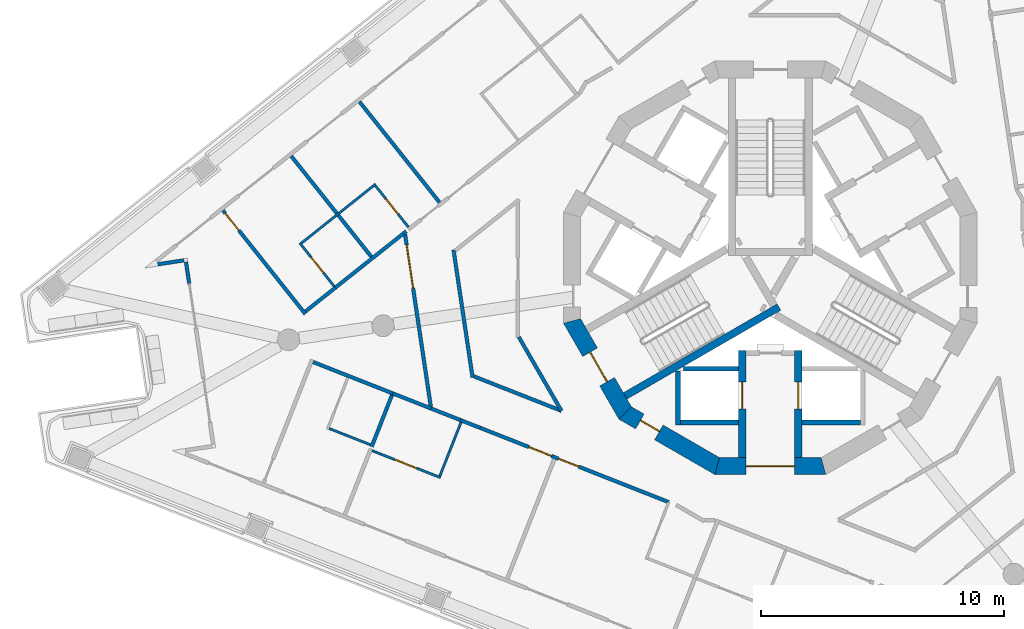
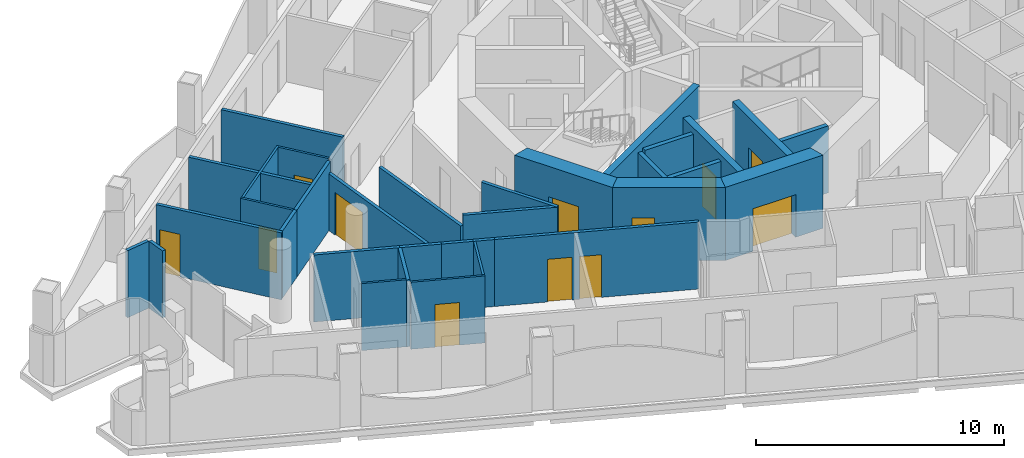
# One storey, part 3 of 16: 33 walls, 12 doors, 12 openings.
"""IFC4 building model written with IfcOpenShell, lengths in metres."""

from ifc_helpers import new_model, si_unit, direction, frame, frame_2d, origin, place, context, subcontext, project, spatial, polyline, rectangle, outline, extrude, material, layer, layer_set, type_object, element, fill, save


model = new_model("IFC4")

# Units and contexts
model_context = context("Model", 3, precision=1e-05, world=origin(), true_north=direction((0.0, 1.0)))
body_context = subcontext(model_context, "Body", "Model", "MODEL_VIEW")
ifc_project = project(units=[si_unit("LENGTHUNIT", "METRE"), si_unit("AREAUNIT", "SQUARE_METRE"), si_unit("VOLUMEUNIT", "CUBIC_METRE"), si_unit("PLANEANGLEUNIT", "RADIAN"), si_unit("MASSUNIT", "GRAM", prefix="KILO")], contexts=[model_context])

# Site, building, storey
site_placement = place(None, origin())
site = spatial("IfcSite", under=ifc_project, at=site_placement, CompositionType="ELEMENT")
building_placement = place(site_placement, origin())
building = spatial("IfcBuilding", under=site, at=building_placement, Name="Trine Commons Tower", CompositionType="ELEMENT")
storey_placement = place(building_placement, frame((0.0, 0.0, 223.199951171875)))
storey = spatial("IfcBuildingStorey", under=building, at=storey_placement, Name="L58", CompositionType="ELEMENT", Elevation=223.199951171875)

# Walls
ifc_material_1 = material(Name="Aluminium-framed insulated wall panel", Category="aluminium")
ifc_layer_1 = layer(ifc_material_1, 0.14990234375)
ifc_layer_set_1 = layer_set([ifc_layer_1], Name="Aluminium-framed insulated wall panel")
wall_type_1 = type_object("IfcWallType", Name="Glazed frame wall 150, EI 60", PredefinedType="SOLIDWALL", material=ifc_layer_set_1)
wall_1_placement = place(storey_placement, frame((56.115966796875, 61.86279296875, 0.0), z_axis=(0.0, 0.0, 1.0), x_axis=(-0.147946480694, 0.988995368468, 0.0)))
element("IfcWall", 1, at=wall_1_placement, inside=storey, type_object=wall_type_1, Name="Glazed frame wall P3.5", PredefinedType="SOLIDWALL", context=body_context, shape_type="SweptSolid", body=[
    extrude(outline(polyline([(0.889892578125, 0.074951171875), (0.0, 0.074951171875), (0.0, -0.074951171875), (0.889892578125, -0.074951171875), (0.889892578125, 0.074951171875)])), origin(), (0.0, 0.0, 1.0), 3.300048828125),
])
wall_2_placement = place(storey_placement, frame((56.0078125, 62.822265625, 0.0), z_axis=(0.0, 0.0, 1.0), x_axis=(-0.98902141065, -0.147772288596, 0.0)))
element("IfcWall", 2, at=wall_2_placement, inside=storey, type_object=wall_type_1, Name="Glazed frame wall R12", PredefinedType="SOLIDWALL", context=body_context, shape_type="SweptSolid", body=[
    extrude(outline(polyline([(0.110107421875, 0.074951171875), (0.110107421875, -0.074951171875), (1.19580078125, -0.074951171875), (1.19580078125, 0.074951171875), (0.110107421875, 0.074951171875)])), origin(), (0.0, 0.0, 1.0), 3.300048828125),
])

# Wall, opening, door
ifc_material_2 = material(Name="Concrete C60/75", Category="concrete")
ifc_layer_2 = layer(ifc_material_2, 0.300048828125)
ifc_layer_set_2 = layer_set([ifc_layer_2], Name="Concrete C60/75")
wall_type_2 = type_object("IfcWallType", Name="RC shear wall 300 mm, C60/75", PredefinedType="SHEAR", material=ifc_layer_set_2)
wall_3_placement = place(storey_placement, frame((78.85009765625, 59.10009765625, 0.0), z_axis=(0.0, 0.0, 1.0), x_axis=(0.0, -1.0, 0.0)))
wall_3 = element("IfcWall", 3, at=wall_3_placement, inside=storey, type_object=wall_type_2, Name="Core cross wall SWC-03 L58", PredefinedType="SHEAR", context=body_context, shape_type="SweptSolid", body=[
    extrude(rectangle(XDim=4.400146484375, YDim=0.300048828125, at=frame_2d((2.2001953125, 0.0))), origin(), (0.0, 0.0, 1.0), 3.60009765625),
])
opening_1_placement = place(wall_3_placement, frame((1.300048828125, 0.0, 0.0)))
opening_1 = element("IfcOpeningElement", 4, at=opening_1_placement, cuts=wall_3, Name="Opening LD10", PredefinedType="OPENING", context=body_context, shape_type="SweptSolid", body=[
    extrude(rectangle(XDim=1.10009765625, YDim=2.10009765625, at=frame_2d((0.550048828125, 1.050048828125))), frame((0.0, 0.159912109375, 0.0), z_axis=(0.0, -1.0, 0.0), x_axis=(1.0, 0.0, 0.0)), (0.0, 0.0, 1.0), 0.320068359375),
])
ifc_material_3 = material(Name="Stainless steel sliding door leaves", Category="steel")
door_type_1 = type_object("IfcDoorType", Name="Lift landing door, centre-opening sliding 1100 x 2100, FD90", OperationType="DOUBLE_DOOR_SLIDING", PredefinedType="DOOR", material=ifc_material_3)
door_1_placement = place(opening_1_placement, origin())
door_1 = element("IfcDoor", 5, at=door_1_placement, inside=storey, type_object=door_type_1, Name="Lift landing door FF2 L58", OperationType="DOUBLE_DOOR_SLIDING", OverallHeight=2.10009765625, OverallWidth=1.10009765625, PredefinedType="DOOR", context=body_context, shape_type="SweptSolid", body=[
    extrude(rectangle(XDim=1.10009765625, YDim=2.10009765625, at=frame_2d((0.550048828125, 1.050048828125))), frame((0.0, 0.02490234375, 0.0), z_axis=(0.0, -1.0, 0.0), x_axis=(1.0, 0.0, 0.0)), (0.0, 0.0, 1.0), 0.050048828125),
])
fill(opening_1, door_1)

wall_4_placement = place(storey_placement, frame((81.14990234375, 59.10009765625, 0.0), z_axis=(0.0, 0.0, 1.0), x_axis=(0.0, -1.0, 0.0)))
wall_4 = element("IfcWall", 6, at=wall_4_placement, inside=storey, type_object=wall_type_2, Name="Core cross wall SWC-04 L58", PredefinedType="SHEAR", context=body_context, shape_type="SweptSolid", body=[
    extrude(rectangle(XDim=4.400146484375, YDim=0.300048828125, at=frame_2d((2.2001953125, 0.0))), origin(), (0.0, 0.0, 1.0), 3.60009765625),
])
opening_2_placement = place(wall_4_placement, frame((1.300048828125, 0.0, 0.0)))
opening_2 = element("IfcOpeningElement", 7, at=opening_2_placement, cuts=wall_4, Name="Opening LD9", PredefinedType="OPENING", context=body_context, shape_type="SweptSolid", body=[
    extrude(rectangle(XDim=1.10009765625, YDim=2.10009765625, at=frame_2d((0.550048828125, 1.050048828125))), frame((0.0, 0.159912109375, 0.0), z_axis=(0.0, -1.0, 0.0), x_axis=(1.0, 0.0, 0.0)), (0.0, 0.0, 1.0), 0.320068359375),
])
door_2_placement = place(opening_2_placement, origin())
door_2 = element("IfcDoor", 8, at=door_2_placement, inside=storey, type_object=door_type_1, Name="Lift landing door FF1 L58", OperationType="DOUBLE_DOOR_SLIDING", OverallHeight=2.10009765625, OverallWidth=1.10009765625, PredefinedType="DOOR", context=body_context, shape_type="SweptSolid", body=[
    extrude(rectangle(XDim=1.10009765625, YDim=2.10009765625, at=frame_2d((0.550048828125, 1.050048828125))), frame((0.0, 0.02490234375, 0.0), z_axis=(0.0, -1.0, 0.0), x_axis=(1.0, 0.0, 0.0)), (0.0, 0.0, 1.0), 0.050048828125),
])
fill(opening_2, door_2)

# Wall
wall_5_placement = place(storey_placement, frame((80.35400390625, 60.885986328125, 0.0), z_axis=(0.0, 0.0, 1.0), x_axis=(-0.866032430508, -0.49998782916, 0.0)))
element("IfcWall", 9, at=wall_5_placement, inside=storey, type_object=wall_type_2, Name="Core cross wall SWC-14 L58", PredefinedType="SHEAR", context=body_context, shape_type="SweptSolid", body=[
    extrude(rectangle(XDim=7.300048828125, YDim=0.300048828125, at=frame_2d((3.64990234375, 0.0))), origin(), (0.0, 0.0, 1.0), 3.60009765625),
])

# Wall, opening, door
ifc_layer_3 = layer(ifc_material_2, 0.699951171875)
ifc_layer_set_3 = layer_set([ifc_layer_3], Name="Concrete C60/75")
wall_type_3 = type_object("IfcWallType", Name="RC shear wall 700 mm, C60/75", PredefinedType="SHEAR", material=ifc_layer_set_3)
wall_6_placement = place(storey_placement, frame((71.802978515625, 60.3974609375, 0.0), z_axis=(0.0, 0.0, 1.0), x_axis=(0.499983800959, -0.866034756103, 0.0)))
wall_6 = element("IfcWall", 10, at=wall_6_placement, inside=storey, type_object=wall_type_3, Name="Core wall CWF-08 L58", PredefinedType="SHEAR", context=body_context, shape_type="SweptSolid", body=[
    extrude(outline(polyline([(0.0, -0.35009765625), (4.55517578125, -0.35009765625), (4.36767578125, 0.35009765625), (0.1875, 0.35009765625), (0.0, -0.35009765625)])), origin(), (0.0, 0.0, 1.0), 3.60009765625),
])
opening_3_placement = place(wall_6_placement, frame((1.577392578125, 0.0, 0.0)))
opening_3 = element("IfcOpeningElement", 11, at=opening_3_placement, cuts=wall_6, Name="Opening K16.02", PredefinedType="OPENING", context=body_context, shape_type="SweptSolid", body=[
    extrude(rectangle(XDim=1.39990234375, YDim=2.10009765625, at=frame_2d((0.699951171875, 1.050048828125))), frame((0.0, 0.35986328125, 0.0), z_axis=(0.0, -1.0, 0.0), x_axis=(1.0, 0.0, 0.0)), (0.0, 0.0, 1.0), 0.719970703125),
])
ifc_material_4 = material(Name="Steel door leaves, fire-rated", Category="steel")
door_type_2 = type_object("IfcDoorType", Name="Stair door, double leaf 1400 x 2100, FD90", OperationType="DOUBLE_DOOR_SINGLE_SWING", PredefinedType="DOOR", material=ifc_material_4)
door_3_placement = place(opening_3_placement, origin())
door_3 = element("IfcDoor", 12, at=door_3_placement, inside=storey, type_object=door_type_2, Name="Stair door to Exit stair ST2C L58", OperationType="DOUBLE_DOOR_SINGLE_SWING", OverallHeight=2.10009765625, OverallWidth=1.39990234375, PredefinedType="DOOR", context=body_context, shape_type="SweptSolid", body=[
    extrude(rectangle(XDim=1.39990234375, YDim=2.10009765625, at=frame_2d((0.699951171875, 1.050048828125))), frame((0.0, 0.02490234375, 0.0), z_axis=(0.0, -1.0, 0.0), x_axis=(1.0, 0.0, 0.0)), (0.0, 0.0, 1.0), 0.050048828125),
])
fill(opening_3, door_3)

wall_7_placement = place(storey_placement, frame((73.952392578125, 56.58056640625, 0.0), z_axis=(0.0, 0.0, 1.0), x_axis=(0.866034756103, -0.499983800959, 0.0)))
wall_7 = element("IfcWall", 13, at=wall_7_placement, inside=storey, type_object=wall_type_3, Name="Core wall CWF-09 L58", PredefinedType="SHEAR", context=body_context, shape_type="SweptSolid", body=[
    extrude(outline(polyline([(0.0, -0.35009765625), (4.55517578125, -0.35009765625), (4.36767578125, 0.35009765625), (0.1875, 0.35009765625), (0.0, -0.35009765625)])), origin(), (0.0, 0.0, 1.0), 3.60009765625),
])
opening_4_placement = place(wall_7_placement, frame((0.791015625, 0.0, 0.0)))
opening_4 = element("IfcOpeningElement", 14, at=opening_4_placement, cuts=wall_7, Name="Opening K16.15", PredefinedType="OPENING", context=body_context, shape_type="SweptSolid", body=[
    extrude(rectangle(XDim=0.89990234375, YDim=2.10009765625, at=frame_2d((0.449951171875, 1.050048828125))), frame((0.0, 0.35986328125, 0.0), z_axis=(0.0, -1.0, 0.0), x_axis=(1.0, 0.0, 0.0)), (0.0, 0.0, 1.0), 0.719970703125),
])
ifc_material_5 = material(Name="Steel door leaf, fire-rated", Category="steel")
door_type_3 = type_object("IfcDoorType", Name="Core room door, single leaf 900 x 2100, FD30S", OperationType="SINGLE_SWING_LEFT", PredefinedType="DOOR", material=ifc_material_5)
door_4_placement = place(opening_4_placement, origin())
door_4 = element("IfcDoor", 15, at=door_4_placement, inside=storey, type_object=door_type_3, Name="Door to Parcel store L58", OperationType="SINGLE_SWING_LEFT", OverallHeight=2.10009765625, OverallWidth=0.89990234375, PredefinedType="DOOR", context=body_context, shape_type="SweptSolid", body=[
    extrude(rectangle(XDim=0.89990234375, YDim=2.10009765625, at=frame_2d((0.449951171875, 1.050048828125))), frame((0.0, 0.0751953125, 0.0), z_axis=(0.0, -1.0, 0.0), x_axis=(1.0, 0.0, 0.0)), (0.0, 0.0, 1.0), 0.050048828125),
])
fill(opening_4, door_4)

wall_8_placement = place(storey_placement, frame((77.722412109375, 54.349853515625, 0.0), z_axis=(0.0, 0.0, 1.0), x_axis=(1.0, 0.0, 0.0)))
wall_8 = element("IfcWall", 16, at=wall_8_placement, inside=storey, type_object=wall_type_3, Name="Core wall CWF-10 L58", PredefinedType="SHEAR", context=body_context, shape_type="SweptSolid", body=[
    extrude(outline(polyline([(0.0, -0.35009765625), (4.55517578125, -0.35009765625), (4.36767578125, 0.35009765625), (0.1875, 0.35009765625), (0.0, -0.35009765625)])), origin(), (0.0, 0.0, 1.0), 3.60009765625),
])
opening_5_placement = place(wall_8_placement, frame((1.277587890625, 0.0, 0.0)))
opening_5 = element("IfcOpeningElement", 17, at=opening_5_placement, cuts=wall_8, Name="Opening K16.08", PredefinedType="OPENING", context=body_context, shape_type="SweptSolid", body=[
    extrude(rectangle(XDim=2.0, YDim=2.10009765625, at=frame_2d((1.0, 1.050048828125))), frame((0.0, 0.35986328125, 0.0), z_axis=(0.0, -1.0, 0.0), x_axis=(1.0, 0.0, 0.0)), (0.0, 0.0, 1.0), 0.719970703125),
])
door_type_4 = type_object("IfcDoorType", Name="Lobby door, double leaf 2000 x 2100, FD60", OperationType="DOUBLE_DOOR_SINGLE_SWING", PredefinedType="DOOR", material=ifc_material_4)
door_5_placement = place(opening_5_placement, origin())
door_5 = element("IfcDoor", 18, at=door_5_placement, inside=storey, type_object=door_type_4, Name="Lobby door, Service and firefighting lobby L58", OperationType="DOUBLE_DOOR_SINGLE_SWING", OverallHeight=2.10009765625, OverallWidth=2.0, PredefinedType="DOOR", context=body_context, shape_type="SweptSolid", body=[
    extrude(rectangle(XDim=2.0, YDim=2.10009765625, at=frame_2d((1.0, 1.050048828125))), frame((0.0, 0.02490234375, 0.0), z_axis=(0.0, -1.0, 0.0), x_axis=(1.0, 0.0, 0.0)), (0.0, 0.0, 1.0), 0.050048828125),
])
fill(opening_5, door_5)

# Walls
ifc_material_6 = material(Name="Fire-rated gypsum shaft wall system")
ifc_layer_4 = layer(ifc_material_6, 0.199951171875)
ifc_layer_set_4 = layer_set([ifc_layer_4], Name="Fire-rated gypsum shaft wall system")
wall_type_4 = type_object("IfcWallType", Name="Shaft wall 200 mm, EI 120", PredefinedType="PARTITIONING", material=ifc_layer_set_4)
wall_9_placement = place(storey_placement, frame((76.199951171875, 58.257080078125, 0.0), z_axis=(0.0, 0.0, 1.0), x_axis=(0.0, -1.0, 0.0)))
element("IfcWall", 19, at=wall_9_placement, inside=storey, type_object=wall_type_4, Name="Shaft wall L58", PredefinedType="PARTITIONING", context=body_context, shape_type="SweptSolid", body=[
    extrude(rectangle(XDim=2.20703125, YDim=0.199951171875, at=frame_2d((1.103515625, 0.0))), origin(), (0.0, 0.0, 1.0), 3.300048828125),
])
wall_10_placement = place(storey_placement, frame((78.699951171875, 56.14990234375, 0.0), z_axis=(0.0, 0.0, 1.0), x_axis=(-1.0, 0.0, 0.0)))
element("IfcWall", 20, at=wall_10_placement, inside=storey, type_object=wall_type_4, Name="Shaft wall L58", PredefinedType="PARTITIONING", context=body_context, shape_type="SweptSolid", body=[
    extrude(rectangle(XDim=2.39990234375, YDim=0.199951171875, at=frame_2d((1.199951171875, 0.0))), origin(), (0.0, 0.0, 1.0), 3.300048828125),
])
wall_11_placement = place(storey_placement, frame((78.699951171875, 58.35009765625, 0.0), z_axis=(0.0, 0.0, 1.0), x_axis=(-1.0, 0.0, 0.0)))
element("IfcWall", 21, at=wall_11_placement, inside=storey, type_object=wall_type_4, Name="Shaft wall L58", PredefinedType="PARTITIONING", context=body_context, shape_type="SweptSolid", body=[
    extrude(rectangle(XDim=2.264892578125, YDim=0.199951171875, at=frame_2d((1.13232421875, 0.0))), origin(), (0.0, 0.0, 1.0), 3.300048828125),
])
wall_12_placement = place(storey_placement, frame((81.300048828125, 56.14990234375, 0.0), z_axis=(0.0, 0.0, 1.0), x_axis=(1.0, 0.0, 0.0)))
element("IfcWall", 22, at=wall_12_placement, inside=storey, type_object=wall_type_4, Name="Shaft wall L58", PredefinedType="PARTITIONING", context=body_context, shape_type="SweptSolid", body=[
    extrude(rectangle(XDim=2.39990234375, YDim=0.199951171875, at=frame_2d((1.199951171875, 0.0))), origin(), (0.0, 0.0, 1.0), 3.300048828125),
])

# Wall, opening, door
ifc_material_7 = material(Name="Gypsum plasterboard on steel stud", Category="steel")
ifc_layer_5 = layer(ifc_material_7, 0.14990234375)
ifc_layer_set_5 = layer_set([ifc_layer_5], Name="Gypsum plasterboard on steel stud")
wall_type_5 = type_object("IfcWallType", Name="Unit and corridor wall 150 mm, EI 60", PredefinedType="PARTITIONING", material=ifc_layer_set_5)
wall_13_placement = place(storey_placement, frame((57.50390625, 64.858642578125, 0.0), z_axis=(0.0, 0.0, 1.0), x_axis=(0.622567332104, -0.782566238089, 0.0)))
wall_13 = element("IfcWall", 23, at=wall_13_placement, inside=storey, type_object=wall_type_5, Name="Partition 001", PredefinedType="PARTITIONING", context=body_context, shape_type="SweptSolid", body=[
    extrude(rectangle(XDim=5.435302734375, YDim=0.14990234375, at=frame_2d((2.7177734375, 0.0))), origin(), (0.0, 0.0, 1.0), 3.300048828125),
])
opening_6_placement = place(wall_13_placement, frame((0.14990234375, 0.0, 0.0)))
opening_6 = element("IfcOpeningElement", 24, at=opening_6_placement, cuts=wall_13, Name="Opening D-6C05", PredefinedType="OPENING", context=body_context, shape_type="SweptSolid", body=[
    extrude(rectangle(XDim=0.89990234375, YDim=2.10009765625, at=frame_2d((0.449951171875, 1.050048828125))), frame((0.0, 0.0849609375, 0.0), z_axis=(0.0, -1.0, 0.0), x_axis=(1.0, 0.0, 0.0)), (0.0, 0.0, 1.0), 0.169921875),
])
ifc_material_8 = material(Name="Timber fire door set", Category="wood")
door_type_5 = type_object("IfcDoorType", Name="Bedroom door 900 x 2100, FD30S", OperationType="NOTDEFINED", PredefinedType="DOOR", material=ifc_material_8)
door_6_placement = place(opening_6_placement, origin())
door_6 = element("IfcDoor", 25, at=door_6_placement, inside=storey, type_object=door_type_5, Name="Door D-6C05", OperationType="SINGLE_SWING_LEFT", OverallHeight=2.10009765625, OverallWidth=0.89990234375, PredefinedType="DOOR", context=body_context, shape_type="SweptSolid", body=[
    extrude(rectangle(XDim=0.89990234375, YDim=2.10009765625, at=frame_2d((0.449951171875, 1.050048828125))), frame((0.0, 0.02490234375, 0.0), z_axis=(0.0, -1.0, 0.0), x_axis=(1.0, 0.0, 0.0)), (0.0, 0.0, 1.0), 0.050048828125),
])
fill(opening_6, door_6)

# Walls
wall_14_placement = place(storey_placement, frame((60.309814453125, 67.091796875, 0.0), z_axis=(0.0, 0.0, 1.0), x_axis=(0.622585933561, -0.782551439416, 0.0)))
element("IfcWall", 26, at=wall_14_placement, inside=storey, type_object=wall_type_5, Name="Partition 003", PredefinedType="PARTITIONING", context=body_context, shape_type="SweptSolid", body=[
    extrude(rectangle(XDim=5.28515625, YDim=0.14990234375, at=frame_2d((2.642578125, 0.0))), origin(), (0.0, 0.0, 1.0), 3.300048828125),
])
wall_15_placement = place(storey_placement, frame((60.899658203125, 60.710693359375, 0.0), z_axis=(0.0, 0.0, 1.0), x_axis=(0.782464556825, 0.622695123886, 0.0)))
element("IfcWall", 27, at=wall_15_placement, inside=storey, type_object=wall_type_5, Name="Partition 006", PredefinedType="PARTITIONING", context=body_context, shape_type="SweptSolid", body=[
    extrude(rectangle(XDim=1.564697265625, YDim=0.14990234375, at=frame_2d((0.7822265625, 0.0))), origin(), (0.0, 0.0, 1.0), 3.300048828125),
])
wall_16_placement = place(storey_placement, frame((61.210693359375, 58.62646484375, 0.0), z_axis=(0.0, 0.0, 1.0), x_axis=(0.930481659578, -0.36633847899, 0.0)))
element("IfcWall", 28, at=wall_16_placement, inside=storey, type_object=wall_type_5, Name="Partition 007", PredefinedType="PARTITIONING", context=body_context, shape_type="SweptSolid", body=[
    extrude(rectangle(XDim=3.511474609375, YDim=0.14990234375, at=frame_2d((1.755859375, 0.0))), origin(), (0.0, 0.0, 1.0), 3.300048828125),
])
wall_17_placement = place(storey_placement, frame((62.078857421875, 61.64990234375, 0.0), z_axis=(0.0, 0.0, 1.0), x_axis=(0.782650439996, 0.622461475735, 0.0)))
element("IfcWall", 29, at=wall_17_placement, inside=storey, type_object=wall_type_5, Name="Partition 010", PredefinedType="PARTITIONING", context=body_context, shape_type="SweptSolid", body=[
    extrude(rectangle(XDim=3.776611328125, YDim=0.14990234375, at=frame_2d((1.88818359375, 0.0))), origin(), (0.0, 0.0, 1.0), 3.300048828125),
])
wall_18_placement = place(storey_placement, frame((63.116943359375, 69.32373046875, 0.0), z_axis=(0.0, 0.0, 1.0), x_axis=(0.622444463897, -0.782663969634, 0.0)))
element("IfcWall", 30, at=wall_18_placement, inside=storey, type_object=wall_type_5, Name="Partition 012", PredefinedType="PARTITIONING", context=body_context, shape_type="SweptSolid", body=[
    extrude(rectangle(XDim=5.284423828125, YDim=0.14990234375, at=frame_2d((2.64208984375, 0.0))), origin(), (0.0, 0.0, 1.0), 3.300048828125),
])
wall_19_placement = place(storey_placement, frame((63.61474609375, 55.1494140625, 0.0), z_axis=(0.0, 0.0, 1.0), x_axis=(0.366603181912, 0.930377400312, 0.0)))
element("IfcWall", 31, at=wall_19_placement, inside=storey, type_object=wall_type_5, Name="Partition 014", PredefinedType="PARTITIONING", context=body_context, shape_type="SweptSolid", body=[
    extrude(rectangle(XDim=2.279541015625, YDim=0.14990234375, at=frame_2d((1.1396484375, 0.0))), origin(), (0.0, 0.0, 1.0), 3.300048828125),
])
wall_20_placement = place(storey_placement, frame((64.47802734375, 57.340087890625, 0.0), z_axis=(0.0, 0.0, 1.0), x_axis=(0.930289512217, -0.366826148822, 0.0)))
element("IfcWall", 32, at=wall_20_placement, inside=storey, type_object=wall_type_5, Name="Partition 016", PredefinedType="PARTITIONING", context=body_context, shape_type="SweptSolid", body=[
    extrude(rectangle(XDim=1.698486328125, YDim=0.14990234375, at=frame_2d((0.84912109375, 0.0))), origin(), (0.0, 0.0, 1.0), 3.300048828125),
])

# Wall, opening, door
wall_21_placement = place(storey_placement, frame((64.987060546875, 63.8798828125, 0.0), z_axis=(0.0, 0.0, 1.0), x_axis=(0.147865724858, -0.98900744558, 0.0)))
wall_21 = element("IfcWall", 33, at=wall_21_placement, inside=storey, type_object=wall_type_5, Name="Partition 017", PredefinedType="PARTITIONING", context=body_context, shape_type="SweptSolid", body=[
    extrude(rectangle(XDim=7.16748046875, YDim=0.14990234375, at=frame_2d((3.583740234375, 0.0))), origin(), (0.0, 0.0, 1.0), 2.800048828125),
])
opening_7_placement = place(wall_21_placement, frame((0.44677734375, 0.0, 0.0)))
opening_7 = element("IfcOpeningElement", 34, at=opening_7_placement, cuts=wall_21, Name="Opening D-6C03", PredefinedType="OPENING", context=body_context, shape_type="SweptSolid", body=[
    extrude(rectangle(XDim=1.800048828125, YDim=2.10009765625, at=frame_2d((0.89990234375, 1.050048828125))), frame((0.0, 0.0849609375, 0.0), z_axis=(0.0, -1.0, 0.0), x_axis=(1.0, 0.0, 0.0)), (0.0, 0.0, 1.0), 0.169921875),
])
door_type_6 = type_object("IfcDoorType", Name="Cluster entrance door 1800 x 2100, double leaf, FD30S", OperationType="DOUBLE_DOOR_DOUBLE_SWING", PredefinedType="DOOR", material=ifc_material_8)
door_7_placement = place(opening_7_placement, frame((1.800048828125, 0.0, 0.0), z_axis=(0.0, 0.0, 1.0), x_axis=(-1.0, 0.0, 0.0)))
door_7 = element("IfcDoor", 35, at=door_7_placement, inside=storey, type_object=door_type_6, Name="Door D-6C03", OperationType="DOUBLE_DOOR_DOUBLE_SWING", OverallHeight=2.10009765625, OverallWidth=1.800048828125, PredefinedType="DOOR", context=body_context, shape_type="SweptSolid", body=[
    extrude(rectangle(XDim=1.800048828125, YDim=2.10009765625, at=frame_2d((0.89990234375, 1.050048828125))), frame((0.0, 0.02490234375, 0.0), z_axis=(0.0, -1.0, 0.0), x_axis=(1.0, 0.0, 0.0)), (0.0, 0.0, 1.0), 0.050048828125),
])
fill(opening_7, door_7)

# Walls
wall_22_placement = place(storey_placement, frame((66.05810546875, 56.717041015625, 0.0), z_axis=(0.0, 0.0, 1.0), x_axis=(0.930574001854, -0.36610384739, 0.0)))
element("IfcWall", 36, at=wall_22_placement, inside=storey, type_object=wall_type_5, Name="Partition 020", PredefinedType="PARTITIONING", context=body_context, shape_type="SweptSolid", body=[
    extrude(rectangle(XDim=1.35498046875, YDim=0.14990234375, at=frame_2d((0.677490234375, 0.0))), origin(), (0.0, 0.0, 1.0), 3.300048828125),
])
wall_23_placement = place(storey_placement, frame((66.97998046875, 63.234130859375, 0.0), z_axis=(0.0, 0.0, 1.0), x_axis=(0.14773017043, -0.989027702719, 0.0)))
element("IfcWall", 37, at=wall_23_placement, inside=storey, type_object=wall_type_5, Name="Partition 022", PredefinedType="PARTITIONING", context=body_context, shape_type="SweptSolid", body=[
    extrude(rectangle(XDim=5.301513671875, YDim=0.14990234375, at=frame_2d((2.65087890625, 0.0))), origin(), (0.0, 0.0, 1.0), 2.800048828125),
])
wall_24_placement = place(storey_placement, frame((67.264404296875, 56.2412109375, 0.0), z_axis=(0.0, 0.0, 1.0), x_axis=(0.9308062045, -0.365513077281, 0.0)))
element("IfcWall", 38, at=wall_24_placement, inside=storey, type_object=wall_type_5, Name="Partition 024", PredefinedType="PARTITIONING", context=body_context, shape_type="SweptSolid", body=[
    extrude(rectangle(XDim=0.86767578125, YDim=0.14990234375, at=frame_2d((0.433837890625, 0.0))), origin(), (0.0, 0.0, 1.0), 3.300048828125),
])
wall_25_placement = place(storey_placement, frame((67.82177734375, 58.03759765625, 0.0), z_axis=(0.0, 0.0, 1.0), x_axis=(0.930426693307, -0.366478059892, 0.0)))
element("IfcWall", 39, at=wall_25_placement, inside=storey, type_object=wall_type_5, Name="Partition 025", PredefinedType="PARTITIONING", context=body_context, shape_type="SweptSolid", body=[
    extrude(rectangle(XDim=3.85986328125, YDim=0.14990234375, at=frame_2d((1.929931640625, 0.0))), origin(), (0.0, 0.0, 1.0), 3.300048828125),
])

# Wall, openings, doors
wall_26_placement = place(storey_placement, frame((68.072021484375, 55.924072265625, 0.0), z_axis=(0.0, 0.0, 1.0), x_axis=(0.930399311856, -0.366547569216, 0.0)))
wall_26 = element("IfcWall", 40, at=wall_26_placement, inside=storey, type_object=wall_type_5, Name="Partition 026", PredefinedType="PARTITIONING", context=body_context, shape_type="SweptSolid", body=[
    extrude(rectangle(XDim=8.3349609375, YDim=0.14990234375, at=frame_2d((4.16748046875, 0.0))), origin(), (0.0, 0.0, 1.0), 3.300048828125),
])
opening_8_placement = place(wall_26_placement, frame((3.45947265625, 0.0, 0.0)))
opening_8 = element("IfcOpeningElement", 41, at=opening_8_placement, cuts=wall_26, Name="Opening D-6C23", PredefinedType="OPENING", context=body_context, shape_type="SweptSolid", body=[
    extrude(rectangle(XDim=0.89990234375, YDim=2.10009765625, at=frame_2d((0.449951171875, 1.050048828125))), frame((0.0, 0.0849609375, 0.0), z_axis=(0.0, -1.0, 0.0), x_axis=(1.0, 0.0, 0.0)), (0.0, 0.0, 1.0), 0.169921875),
])
opening_9_placement = place(wall_26_placement, frame((2.159423828125, 0.0, 0.0)))
opening_9 = element("IfcOpeningElement", 42, at=opening_9_placement, cuts=wall_26, Name="Opening D-6C24", PredefinedType="OPENING", context=body_context, shape_type="SweptSolid", body=[
    extrude(rectangle(XDim=1.0, YDim=2.10009765625, at=frame_2d((0.5, 1.050048828125))), frame((0.0, 0.0849609375, 0.0), z_axis=(0.0, -1.0, 0.0), x_axis=(1.0, 0.0, 0.0)), (0.0, 0.0, 1.0), 0.169921875),
])
door_type_7 = type_object("IfcDoorType", Name="Bedroom door 1000 x 2100, FD30S", OperationType="NOTDEFINED", PredefinedType="DOOR", material=ifc_material_8)
door_8_placement = place(opening_9_placement, frame((1.0, 0.0, 0.0), z_axis=(0.0, 0.0, 1.0), x_axis=(-1.0, 0.0, 0.0)))
door_8 = element("IfcDoor", 43, at=door_8_placement, inside=storey, type_object=door_type_7, Name="Door D-6C24", OperationType="SINGLE_SWING_RIGHT", OverallHeight=2.10009765625, OverallWidth=1.0, PredefinedType="DOOR", context=body_context, shape_type="SweptSolid", body=[
    extrude(rectangle(XDim=1.0, YDim=2.10009765625, at=frame_2d((0.5, 1.050048828125))), frame((0.0, 0.02490234375, 0.0), z_axis=(0.0, -1.0, 0.0), x_axis=(1.0, 0.0, 0.0)), (0.0, 0.0, 1.0), 0.050048828125),
])
fill(opening_9, door_8)
door_9_placement = place(opening_8_placement, frame((0.89990234375, 0.0, 0.0), z_axis=(0.0, 0.0, 1.0), x_axis=(-1.0, 0.0, 0.0)))
door_9 = element("IfcDoor", 44, at=door_9_placement, inside=storey, type_object=door_type_5, Name="Door D-6C23", OperationType="SINGLE_SWING_RIGHT", OverallHeight=2.10009765625, OverallWidth=0.89990234375, PredefinedType="DOOR", context=body_context, shape_type="SweptSolid", body=[
    extrude(rectangle(XDim=0.89990234375, YDim=2.10009765625, at=frame_2d((0.449951171875, 1.050048828125))), frame((0.0, 0.02490234375, 0.0), z_axis=(0.0, -1.0, 0.0), x_axis=(1.0, 0.0, 0.0)), (0.0, 0.0, 1.0), 0.050048828125),
])
fill(opening_8, door_9)

# Wall
wall_27_placement = place(storey_placement, frame((69.66259765625, 59.655029296875, 0.0), z_axis=(0.0, 0.0, 1.0), x_axis=(0.50005009493, -0.865996479531, 0.0)))
element("IfcWall", 45, at=wall_27_placement, inside=storey, type_object=wall_type_5, Name="Partition 032", PredefinedType="PARTITIONING", context=body_context, shape_type="SweptSolid", body=[
    extrude(rectangle(XDim=3.504638671875, YDim=0.14990234375, at=frame_2d((1.75244140625, 0.0))), origin(), (0.0, 0.0, 1.0), 3.300048828125),
])

# Wall, opening, door
ifc_layer_6 = layer(ifc_material_7, 0.10009765625)
ifc_layer_set_6 = layer_set([ifc_layer_6], Name="Gypsum plasterboard on steel stud")
wall_type_6 = type_object("IfcWallType", Name="Unit partition 100 mm, no rating", PredefinedType="PARTITIONING", material=ifc_layer_set_6)
wall_28_placement = place(storey_placement, frame((60.657958984375, 63.522216796875, 0.0), z_axis=(0.0, 0.0, 1.0), x_axis=(0.622507134747, -0.782614124067, 0.0)))
wall_28 = element("IfcWall", 46, at=wall_28_placement, inside=storey, type_object=wall_type_6, Name="Partition 004", PredefinedType="PARTITIONING", context=body_context, shape_type="SweptSolid", body=[
    extrude(rectangle(XDim=2.275146484375, YDim=0.10009765625, at=frame_2d((1.1376953125, 0.0))), origin(), (0.0, 0.0, 1.0), 3.300048828125),
])
opening_10_placement = place(wall_28_placement, frame((0.7626953125, 0.0, 0.0)))
opening_10 = element("IfcOpeningElement", 47, at=opening_10_placement, cuts=wall_28, Name="Opening D-6C29", PredefinedType="OPENING", context=body_context, shape_type="SweptSolid", body=[
    extrude(rectangle(XDim=0.800048828125, YDim=2.10009765625, at=frame_2d((0.39990234375, 1.050048828125))), frame((0.0, 0.06005859375, 0.0), z_axis=(0.0, -1.0, 0.0), x_axis=(1.0, 0.0, 0.0)), (0.0, 0.0, 1.0), 0.1201171875),
])
ifc_material_9 = material(Name="Painted timber", Category="wood")
door_type_8 = type_object("IfcDoorType", Name="Internal door 800 x 2100, NOT RATED", OperationType="NOTDEFINED", PredefinedType="DOOR", material=ifc_material_9)
door_10_placement = place(opening_10_placement, frame((0.800048828125, 0.0, 0.0), z_axis=(0.0, 0.0, 1.0), x_axis=(-1.0, 0.0, 0.0)))
door_10 = element("IfcDoor", 48, at=door_10_placement, inside=storey, type_object=door_type_8, Name="Door D-6C29", OperationType="SINGLE_SWING_LEFT", OverallHeight=2.10009765625, OverallWidth=0.800048828125, PredefinedType="DOOR", context=body_context, shape_type="SweptSolid", body=[
    extrude(rectangle(XDim=0.800048828125, YDim=2.10009765625, at=frame_2d((0.39990234375, 1.050048828125))), frame((0.0, 0.02490234375, 0.0), z_axis=(0.0, -1.0, 0.0), x_axis=(1.0, 0.0, 0.0)), (0.0, 0.0, 1.0), 0.050048828125),
])
fill(opening_10, door_10)

# Walls
wall_29_placement = place(storey_placement, frame((60.72802734375, 63.51416015625, 0.0), z_axis=(0.0, 0.0, 1.0), x_axis=(0.782569861825, 0.622562777046, 0.0)))
element("IfcWall", 49, at=wall_29_placement, inside=storey, type_object=wall_type_6, Name="Partition 005", PredefinedType="PARTITIONING", context=body_context, shape_type="SweptSolid", body=[
    extrude(rectangle(XDim=3.89990234375, YDim=0.10009765625, at=frame_2d((1.949951171875, 0.0))), origin(), (0.0, 0.0, 1.0), 3.300048828125),
])
wall_30_placement = place(storey_placement, frame((61.866455078125, 55.895751953125, 0.0), z_axis=(0.0, 0.0, 1.0), x_axis=(0.930592094338, -0.366057856022, 0.0)))
element("IfcWall", 50, at=wall_30_placement, inside=storey, type_object=wall_type_6, Name="Partition 009", PredefinedType="PARTITIONING", context=body_context, shape_type="SweptSolid", body=[
    extrude(rectangle(XDim=1.825439453125, YDim=0.10009765625, at=frame_2d((0.91259765625, 0.0))), origin(), (0.0, 0.0, 1.0), 3.300048828125),
])

# Wall, opening, door
wall_31_placement = place(storey_placement, frame((63.630859375, 54.985595703125, 0.0), z_axis=(0.0, 0.0, 1.0), x_axis=(0.930510944634, -0.36626408767, 0.0)))
wall_31 = element("IfcWall", 51, at=wall_31_placement, inside=storey, type_object=wall_type_6, Name="Partition 013", PredefinedType="PARTITIONING", context=body_context, shape_type="SweptSolid", body=[
    extrude(rectangle(XDim=3.02490234375, YDim=0.10009765625, at=frame_2d((1.512451171875, 0.0))), origin(), (0.0, 0.0, 1.0), 3.300048828125),
])
opening_11_placement = place(wall_31_placement, frame((0.9873046875, 0.0, 0.0)))
opening_11 = element("IfcOpeningElement", 52, at=opening_11_placement, cuts=wall_31, Name="Opening D-6C47", PredefinedType="OPENING", context=body_context, shape_type="SweptSolid", body=[
    extrude(rectangle(XDim=1.0, YDim=2.10009765625, at=frame_2d((0.5, 1.050048828125))), frame((0.0, 0.06005859375, 0.0), z_axis=(0.0, -1.0, 0.0), x_axis=(1.0, 0.0, 0.0)), (0.0, 0.0, 1.0), 0.1201171875),
])
door_type_9 = type_object("IfcDoorType", Name="Internal door 1000 x 2100, NOT RATED", OperationType="NOTDEFINED", PredefinedType="DOOR", material=ifc_material_9)
door_11_placement = place(opening_11_placement, frame((1.0, 0.0, 0.0), z_axis=(0.0, 0.0, 1.0), x_axis=(-1.0, 0.0, 0.0)))
door_11 = element("IfcDoor", 53, at=door_11_placement, inside=storey, type_object=door_type_9, Name="Door D-6C47", OperationType="SINGLE_SWING_RIGHT", OverallHeight=2.10009765625, OverallWidth=1.0, PredefinedType="DOOR", context=body_context, shape_type="SweptSolid", body=[
    extrude(rectangle(XDim=1.0, YDim=2.10009765625, at=frame_2d((0.5, 1.050048828125))), frame((0.0, 0.02490234375, 0.0), z_axis=(0.0, -1.0, 0.0), x_axis=(1.0, 0.0, 0.0)), (0.0, 0.0, 1.0), 0.050048828125),
])
fill(opening_11, door_11)

wall_32_placement = place(storey_placement, frame((63.772216796875, 65.871826171875, 0.0), z_axis=(0.0, 0.0, 1.0), x_axis=(0.622529815635, -0.782596082692, 0.0)))
wall_32 = element("IfcWall", 54, at=wall_32_placement, inside=storey, type_object=wall_type_6, Name="Partition 015", PredefinedType="PARTITIONING", context=body_context, shape_type="SweptSolid", body=[
    extrude(rectangle(XDim=2.175048828125, YDim=0.10009765625, at=frame_2d((1.08740234375, 0.0))), origin(), (0.0, 0.0, 1.0), 3.300048828125),
])
opening_12_placement = place(wall_32_placement, frame((0.6875, 0.0, 0.0)))
opening_12 = element("IfcOpeningElement", 55, at=opening_12_placement, cuts=wall_32, Name="Opening D-6C30", PredefinedType="OPENING", context=body_context, shape_type="SweptSolid", body=[
    extrude(rectangle(XDim=0.800048828125, YDim=2.10009765625, at=frame_2d((0.39990234375, 1.050048828125))), frame((0.0, 0.06005859375, 0.0), z_axis=(0.0, -1.0, 0.0), x_axis=(1.0, 0.0, 0.0)), (0.0, 0.0, 1.0), 0.1201171875),
])
door_12_placement = place(opening_12_placement, origin())
door_12 = element("IfcDoor", 56, at=door_12_placement, inside=storey, type_object=door_type_8, Name="Door D-6C30", OperationType="SINGLE_SWING_LEFT", OverallHeight=2.10009765625, OverallWidth=0.800048828125, PredefinedType="DOOR", context=body_context, shape_type="SweptSolid", body=[
    extrude(rectangle(XDim=0.800048828125, YDim=2.10009765625, at=frame_2d((0.39990234375, 1.050048828125))), frame((0.0, 0.02490234375, 0.0), z_axis=(0.0, -1.0, 0.0), x_axis=(1.0, 0.0, 0.0)), (0.0, 0.0, 1.0), 0.050048828125),
])
fill(opening_12, door_12)

# Wall
wall_33_placement = place(storey_placement, frame((66.417236328125, 53.9423828125, 0.0), z_axis=(0.0, 0.0, 1.0), x_axis=(0.366475978777, 0.930427513017, 0.0)))
element("IfcWall", 57, at=wall_33_placement, inside=storey, type_object=wall_type_6, Name="Partition 021", PredefinedType="PARTITIONING", context=body_context, shape_type="SweptSolid", body=[
    extrude(rectangle(XDim=2.375, YDim=0.10009765625, at=frame_2d((1.1875, 0.0))), origin(), (0.0, 0.0, 1.0), 3.300048828125),
])

save(model, "model.ifc")
